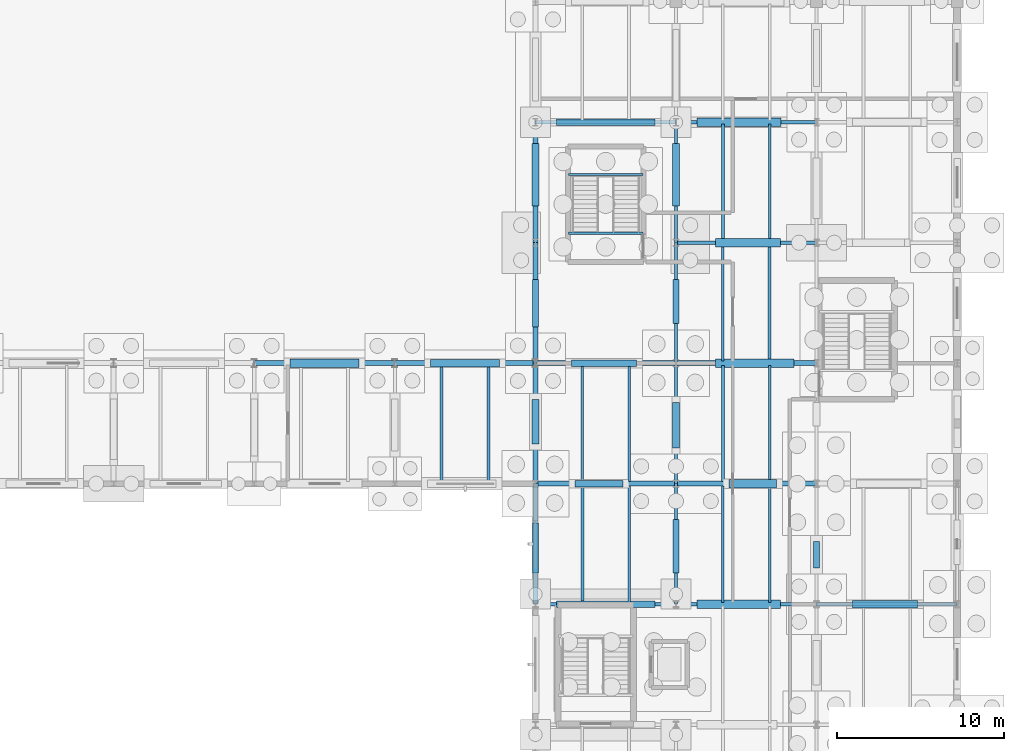
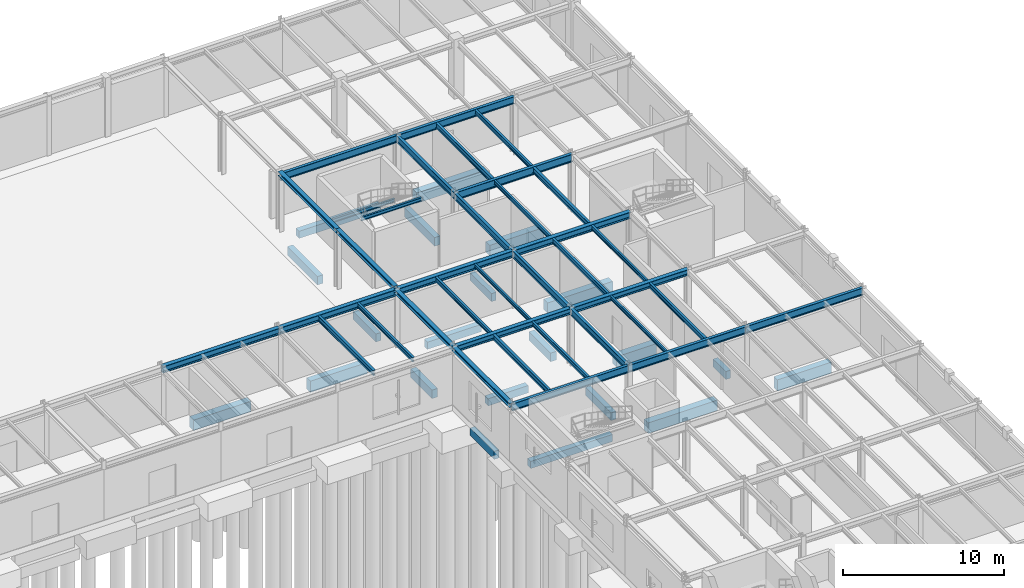
# One storey, part 46 of 93: 57 beams.
"""IFC4 building model written with IfcOpenShell, lengths in metres."""

import ifcopenshell
import ifcopenshell.guid

model = None  # the IFC model being written
_history = None  # IfcOwnerHistory: only IFC2X3 demands one
_inside = {}  # id of a spatial element -> (the spatial element, [elements in it])
_under = {}  # id of a project, library or spatial element -> (it, [spatial elements below it])
_declared = {}  # id of a project -> (the project, [libraries it declares])
_typed = {}  # id of a type object -> (the type object, [elements of that type])
_made_of = {}  # id of a material, layer set ... -> (it, [elements and type objects made of it])


def new_model(schema):
    """Start an empty IFC model of exactly this schema.

    Asked for "IFC4X3", IfcOpenShell would pick the latest addendum, in which some entities
    have other attributes; the version numbers below select the first issue.
    IFC2X3 requires an IfcOwnerHistory on every rooted entity: one is made here for all.
    """
    global model, _history
    if schema == "IFC4X3":
        model = ifcopenshell.file(schema_version=(4, 3, 0, 0))
    else:
        model = ifcopenshell.file(schema=schema)
    _inside.clear()
    _under.clear()
    _declared.clear()
    _typed.clear()
    _made_of.clear()
    _history = None
    if model.schema == "IFC2X3":
        org = make("IfcOrganization", Name="unknown")
        user = make(
            "IfcPersonAndOrganization",
            ThePerson=make("IfcPerson", FamilyName="unknown"),
            TheOrganization=org,
        )
        app = make(
            "IfcApplication",
            ApplicationDeveloper=org,
            Version="unknown",
            ApplicationFullName="unknown",
            ApplicationIdentifier="unknown",
        )
        _history = make(
            "IfcOwnerHistory",
            OwningUser=user,
            OwningApplication=app,
            ChangeAction="ADDED",
            CreationDate=0,
        )
    return model


def make(cls, **values):
    """One entity of the class cls with the attributes given. An attribute that is None is left unset."""
    return model.create_entity(
        cls, **{name: value for name, value in values.items() if value is not None}
    )


def rooted(cls, **values):
    """An entity with a GlobalId (a new one), such as an element, a storey or a relation."""
    return make(cls, GlobalId=ifcopenshell.guid.new(), OwnerHistory=_history, **values)


def si_unit(unit_type, name, prefix=None):
    """IfcSIUnit, for example si_unit("LENGTHUNIT", "METRE", prefix="MILLI")."""
    return make("IfcSIUnit", UnitType=unit_type, Prefix=prefix, Name=name)


def derived_unit(unit_type, elements):
    """IfcDerivedUnit: a product of units, each with its exponent."""
    return make(
        "IfcDerivedUnit",
        Elements=[
            make("IfcDerivedUnitElement", Unit=unit, Exponent=power)
            for unit, power in elements
        ],
        UnitType=unit_type,
    )


def assignment(units):
    """IfcUnitAssignment: the units of a project."""
    return None if units is None else make("IfcUnitAssignment", Units=units)


def point(xyz):
    """IfcCartesianPoint."""
    return None if xyz is None else make("IfcCartesianPoint", Coordinates=xyz)


def direction(xyz):
    """IfcDirection."""
    return None if xyz is None else make("IfcDirection", DirectionRatios=xyz)


def frame(location, z_axis=None, x_axis=None):
    """IfcAxis2Placement3D, a coordinate frame: its origin and axes. An axis left out is left unset."""
    return make(
        "IfcAxis2Placement3D",
        Location=point(location),
        Axis=direction(z_axis),
        RefDirection=direction(x_axis),
    )


def frame_2d(location, x_axis=None):
    """IfcAxis2Placement2D, a coordinate frame in the plane: its origin and x axis."""
    return make(
        "IfcAxis2Placement2D", Location=point(location), RefDirection=direction(x_axis)
    )


def origin():
    """The frame at (0, 0, 0) with its axes left unset."""
    return frame((0.0, 0.0, 0.0))


def origin_2d():
    """The frame at (0, 0) in the plane with its x axis left unset."""
    return frame_2d((0.0, 0.0))


def place(relative_to, where):
    """IfcLocalPlacement: puts the frame where relative to a parent placement (None: the world)."""
    return make(
        "IfcLocalPlacement", PlacementRelTo=relative_to, RelativePlacement=where
    )


def context(
    kind, dimensions, precision=None, world=None, true_north=None, identifier=None
):
    """IfcGeometricRepresentationContext, for example the 3D "Model" context."""
    return make(
        "IfcGeometricRepresentationContext",
        ContextIdentifier=identifier,
        ContextType=kind,
        CoordinateSpaceDimension=dimensions,
        Precision=precision,
        WorldCoordinateSystem=world,
        TrueNorth=true_north,
    )


def subcontext(parent, identifier, kind, view, scale=None):
    """IfcGeometricRepresentationSubContext, for example "Body" below "Model"."""
    return make(
        "IfcGeometricRepresentationSubContext",
        ContextIdentifier=identifier,
        ContextType=kind,
        ParentContext=parent,
        TargetScale=scale,
        TargetView=view,
    )


def project(units=None, contexts=None):
    """IfcProject with its units and contexts."""
    return rooted(
        "IfcProject",
        Name="project",
        RepresentationContexts=contexts,
        UnitsInContext=assignment(units),
    )


def spatial(cls, under=None, at=None, **own):
    """A site, building, storey or space (cls), placed at a placement, below another one or the project."""
    s = rooted(cls, ObjectPlacement=at, **own)
    if under is not None:
        _under.setdefault(under.id(), (under, []))[1].append(s)
    return s


def profile(cls, at=None, kind="AREA", **sizes):
    """A parametric profile (cls). Its sizes go by their IFC names, for example OverallWidth=200.0."""
    return make(cls, ProfileType=kind, Position=at, **sizes)


def rectangle(**sizes):
    """IfcRectangleProfileDef."""
    return profile("IfcRectangleProfileDef", **sizes)


def i_section(**sizes):
    """IfcIShapeProfileDef."""
    return profile("IfcIShapeProfileDef", **sizes)


def extrude(swept, where, along, depth):
    """IfcExtrudedAreaSolid: the profile swept, set in the frame where, extruded along a direction by depth."""
    return make(
        "IfcExtrudedAreaSolid",
        SweptArea=swept,
        Position=where,
        ExtrudedDirection=direction(along),
        Depth=depth,
    )


def shape(context_of_items, identifier, shape_type, items):
    """IfcShapeRepresentation: the items that make up one representation, for example the "Body"."""
    return make(
        "IfcShapeRepresentation",
        ContextOfItems=context_of_items,
        RepresentationIdentifier=identifier,
        RepresentationType=shape_type,
        Items=items,
    )


def material(Name=None, Category=None):
    """IfcMaterial."""
    return make("IfcMaterial", Name=Name, Category=Category)


def material_profile(
    of_material, cross_section, Name=None, Category=None, Priority=None
):
    """IfcMaterialProfile: a cross section and its material."""
    return make(
        "IfcMaterialProfile",
        Name=Name,
        Material=of_material,
        Profile=cross_section,
        Priority=Priority,
        Category=Category,
    )


def profile_set(profiles, Name=None, composite=None):
    """IfcMaterialProfileSet."""
    return make(
        "IfcMaterialProfileSet",
        Name=Name,
        MaterialProfiles=profiles,
        CompositeProfile=composite,
    )


def made_of(thing, what):
    """Note that an element or type object is made of a material, layer set ...; save() writes the relation."""
    if what is not None:
        _made_of.setdefault(what.id(), (what, []))[1].append(thing)
    return thing


def type_object(cls, material=None, **own):
    """A type object (cls), such as IfcWallType, which elements share."""
    return made_of(rooted(cls, **own), material)


def element(
    cls,
    number,
    at=None,
    inside=None,
    cuts=None,
    type_object=None,
    material=None,
    context=None,
    identifier="Body",
    shape_type=None,
    held_by="IfcProductDefinitionShape",
    body=None,
    shapes=None,
    **own,
):
    """One element of the class cls, such as IfcWall. Its Tag is "e" and its number.

    at: its placement. inside: the storey or other place that contains it. cuts: it is an
    opening in that element (IfcRelVoidsElement). A single representation is given by context,
    identifier, shape_type and body (its items); several are given by shapes. held_by: the class
    of the entity that holds the representations. save() writes the other relations.
    """
    e = rooted(cls, Tag="e%d" % number, ObjectPlacement=at, **own)
    if body is not None:
        shapes = [shape(context, identifier, shape_type, body)]
    if shapes is not None:
        e.Representation = make(held_by, Representations=shapes)
    if inside is not None:
        _inside.setdefault(inside.id(), (inside, []))[1].append(e)
    if cuts is not None:
        rooted(
            "IfcRelVoidsElement", RelatingBuildingElement=cuts, RelatedOpeningElement=e
        )
    if type_object is not None:
        _typed.setdefault(type_object.id(), (type_object, []))[1].append(e)
    return made_of(e, material)


def aggregate(whole, parts):
    """IfcRelAggregates: a whole, such as a stair, and the parts it consists of."""
    return rooted("IfcRelAggregates", RelatingObject=whole, RelatedObjects=parts)


def save(model, path):
    """Write the relations noted so far, then the file.

    IfcRelAggregates (storeys below a building ...), IfcRelContainedInSpatialStructure (elements
    in a storey), IfcRelDefinesByType, IfcRelAssociatesMaterial and IfcRelDeclares: one each for
    every whole, place, type object, material and project.
    """
    for whole, parts in _under.values():
        aggregate(whole, parts)
    for where, things in _inside.values():
        rooted(
            "IfcRelContainedInSpatialStructure",
            RelatedElements=things,
            RelatingStructure=where,
        )
    for kind, things in _typed.values():
        rooted("IfcRelDefinesByType", RelatedObjects=things, RelatingType=kind)
    for what, things in _made_of.values():
        rooted("IfcRelAssociatesMaterial", RelatedObjects=things, RelatingMaterial=what)
    for by, libraries in _declared.values():
        rooted("IfcRelDeclares", RelatingContext=by, RelatedDefinitions=libraries)
    model.write(path)


model = new_model("IFC4")

# Units and contexts
model_context = context("Model", 3, precision=1e-05, world=origin(), true_north=direction((0.0, 1.0)))
body_context = subcontext(model_context, "Body", "Model", "MODEL_VIEW")
ifc_project = project(units=[si_unit("LENGTHUNIT", "METRE"), si_unit("AREAUNIT", "SQUARE_METRE"), si_unit("VOLUMEUNIT", "CUBIC_METRE"), si_unit("PLANEANGLEUNIT", "RADIAN"), si_unit("MASSUNIT", "GRAM", prefix="KILO"), derived_unit("THERMALTRANSMITTANCEUNIT", [(si_unit("MASSUNIT", "GRAM", prefix="KILO"), 1), (si_unit("TIMEUNIT", "SECOND"), -3), (si_unit("THERMODYNAMICTEMPERATUREUNIT", "KELVIN"), -1)])], contexts=[model_context])

# Site, building, storey
site_placement = place(None, origin())
site = spatial("IfcSite", under=ifc_project, at=site_placement, CompositionType="ELEMENT")
building_placement = place(site_placement, origin())
building = spatial("IfcBuilding", under=site, at=building_placement, Name="Kharveza Railside Sports Centre", CompositionType="ELEMENT")
storey_placement = place(building_placement, origin())
storey = spatial("IfcBuildingStorey", under=building, at=storey_placement, Name="L00", CompositionType="ELEMENT", Elevation=0.0)

# Beams
ifc_material_1 = material(Name="Steel S355J2", Category="steel")
ifc_material_profile_1 = material_profile(ifc_material_1, i_section(OverallWidth=0.219970703125, OverallDepth=0.60009765625, WebThickness=0.011962890625, FlangeThickness=0.01904296875, FilletRadius=0.02392578125, at=origin_2d()), Name="IPE 600")
ifc_profile_set_1 = profile_set([ifc_material_profile_1], Name="Steel S355J2")
beam_type_1 = type_object("IfcBeamType", Name="BM-G01", PredefinedType="T_BEAM", material=ifc_profile_set_1)
beam_1_placement = place(storey_placement, frame((151.199951171875, 86.39990234375, 4.02001953125), z_axis=(1.0, 0.0, 0.0), x_axis=(0.0, 1.0, 0.0)))
element("IfcBeam", 1, at=beam_1_placement, inside=storey, type_object=beam_type_1, Name="BM-EW-L00-B01-X1512-Y864", PredefinedType="T_BEAM", context=body_context, shape_type="SweptSolid", body=[
    extrude(i_section(OverallWidth=0.219970703125, OverallDepth=0.60009765625, WebThickness=0.011962890625, FlangeThickness=0.01904296875, FilletRadius=0.02392578125, at=origin_2d()), origin(), (0.0, 0.0, 1.0), 8.400146484375),
])
ifc_material_profile_2 = material_profile(ifc_material_1, i_section(OverallWidth=0.2099609375, OverallDepth=0.550048828125, WebThickness=0.010986328125, FlangeThickness=0.01708984375, FilletRadius=0.02392578125, at=origin_2d()), Name="IPE 550")
ifc_profile_set_2 = profile_set([ifc_material_profile_2], Name="Steel S355J2")
beam_type_2 = type_object("IfcBeamType", Name="BM-G02", PredefinedType="T_BEAM", material=ifc_profile_set_2)
for number, where, z_axis, x_axis, name in (
    (2, (142.800048828125, 64.800048828125, 4.044921875), (1.0, 0.0, 0.0), (0.0, 1.0, 0.0), "BM-EW-L00-B02-X1428-Y648"),
    (3, (142.800048828125, 93.60009765625, 4.044921875), (1.0, 0.0, 0.0), (0.0, 1.0, 0.0), "BM-EW-L00-B02-X1428-Y936"),
):
    element("IfcBeam", number, at=place(storey_placement, frame(where, z_axis=z_axis, x_axis=x_axis)), inside=storey, type_object=beam_type_2, Name=name, PredefinedType="T_BEAM", context=body_context, shape_type="SweptSolid", body=[
        extrude(i_section(OverallWidth=0.2099609375, OverallDepth=0.550048828125, WebThickness=0.010986328125, FlangeThickness=0.01708984375, FilletRadius=0.02392578125, at=origin_2d()), origin(), (0.0, 0.0, 1.0), 8.39990234375),
    ])
for number, where, z_axis, x_axis, name in (
    (4, (151.199951171875, 64.800048828125, 4.044921875), (1.0, 0.0, 0.0), (0.0, 1.0, 0.0), "BM-EW-L00-B02-X1512-Y648"),
    (5, (151.199951171875, 93.60009765625, 4.044921875), (1.0, 0.0, 0.0), (0.0, 1.0, 0.0), "BM-EW-L00-B02-X1512-Y936"),
):
    element("IfcBeam", number, at=place(storey_placement, frame(where, z_axis=z_axis, x_axis=x_axis)), inside=storey, type_object=beam_type_2, Name=name, PredefinedType="T_BEAM", context=body_context, shape_type="SweptSolid", body=[
        extrude(i_section(OverallWidth=0.2099609375, OverallDepth=0.550048828125, WebThickness=0.010986328125, FlangeThickness=0.01708984375, FilletRadius=0.02392578125, at=origin_2d()), origin(), (0.0, 0.0, 1.0), 8.400146484375),
    ])
beam_2_placement = place(storey_placement, frame((159.60009765625, 64.800048828125, 4.044921875), z_axis=(1.0, 0.0, 0.0), x_axis=(0.0, 1.0, 0.0)))
element("IfcBeam", 6, at=beam_2_placement, inside=storey, type_object=beam_type_2, Name="BM-EW-L00-B02-X1596-Y648", PredefinedType="T_BEAM", context=body_context, shape_type="SweptSolid", body=[
    extrude(i_section(OverallWidth=0.2099609375, OverallDepth=0.550048828125, WebThickness=0.010986328125, FlangeThickness=0.01708984375, FilletRadius=0.02392578125, at=origin_2d()), origin(), (0.0, 0.0, 1.0), 8.39990234375),
])
ifc_material_profile_3 = material_profile(ifc_material_1, i_section(OverallWidth=0.199951171875, OverallDepth=0.5, WebThickness=0.01025390625, FlangeThickness=0.01611328125, FilletRadius=0.02099609375, at=origin_2d()), Name="IPE 500")
ifc_profile_set_3 = profile_set([ifc_material_profile_3], Name="Steel S355J2")
beam_type_3 = type_object("IfcBeamType", Name="BM-G03", PredefinedType="T_BEAM", material=ifc_profile_set_3)
for number, where, z_axis, x_axis, name in (
    (7, (151.199951171875, 64.800048828125, 4.070068359375), (0.0, 1.0, 0.0), (-1.0, 0.0, 0.0), "BM-NS-L00-B03-X1512-Y648"),
    (8, (151.199951171875, 72.0, 4.070068359375), (0.0, 1.0, 0.0), (-1.0, 0.0, 0.0), "BM-NS-L00-B03-X1512-Y720"),
    (9, (151.199951171875, 79.199951171875, 4.070068359375), (0.0, 1.0, 0.0), (-1.0, 0.0, 0.0), "BM-NS-L00-B03-X1512-Y792"),
):
    element("IfcBeam", number, at=place(storey_placement, frame(where, z_axis=z_axis, x_axis=x_axis)), inside=storey, type_object=beam_type_3, Name=name, PredefinedType="T_BEAM", context=body_context, shape_type="SweptSolid", body=[
        extrude(i_section(OverallWidth=0.199951171875, OverallDepth=0.5, WebThickness=0.01025390625, FlangeThickness=0.01611328125, FilletRadius=0.02099609375, at=origin_2d()), origin(), (0.0, 0.0, 1.0), 7.199951171875),
    ])
beam_3_placement = place(storey_placement, frame((151.199951171875, 86.39990234375, 4.070068359375), z_axis=(0.0, 1.0, 0.0), x_axis=(-1.0, 0.0, 0.0)))
element("IfcBeam", 10, at=beam_3_placement, inside=storey, type_object=beam_type_3, Name="BM-NS-L00-B03-X1512-Y864", PredefinedType="T_BEAM", context=body_context, shape_type="SweptSolid", body=[
    extrude(i_section(OverallWidth=0.199951171875, OverallDepth=0.5, WebThickness=0.01025390625, FlangeThickness=0.01611328125, FilletRadius=0.02099609375, at=origin_2d()), origin(), (0.0, 0.0, 1.0), 7.2001953125),
])
ifc_material_profile_4 = material_profile(ifc_material_1, i_section(OverallWidth=0.300048828125, OverallDepth=0.5, WebThickness=0.014404296875, FlangeThickness=0.028076171875, FilletRadius=0.027099609375, at=origin_2d()), Name="HEB 500")
ifc_profile_set_4 = profile_set([ifc_material_profile_4], Name="Steel S355J2")
beam_type_4 = type_object("IfcBeamType", Name="BM-G05", PredefinedType="T_BEAM", material=ifc_profile_set_4)
beam_4_placement = place(storey_placement, frame((126.0, 79.199951171875, 4.070068359375), z_axis=(1.0, 0.0, 0.0), x_axis=(0.0, 1.0, 0.0)))
element("IfcBeam", 11, at=beam_4_placement, inside=storey, type_object=beam_type_4, Name="BM-EW-L00-B05-X1260-Y792", PredefinedType="T_BEAM", context=body_context, shape_type="SweptSolid", body=[
    extrude(i_section(OverallWidth=0.300048828125, OverallDepth=0.5, WebThickness=0.014404296875, FlangeThickness=0.028076171875, FilletRadius=0.027099609375, at=origin_2d()), origin(), (0.0, 0.0, 1.0), 8.39990234375),
])
beam_5_placement = place(storey_placement, frame((134.39990234375, 79.199951171875, 4.070068359375), z_axis=(1.0, 0.0, 0.0), x_axis=(0.0, 1.0, 0.0)))
element("IfcBeam", 12, at=beam_5_placement, inside=storey, type_object=beam_type_4, Name="BM-EW-L00-B05-X1344-Y792", PredefinedType="T_BEAM", context=body_context, shape_type="SweptSolid", body=[
    extrude(i_section(OverallWidth=0.300048828125, OverallDepth=0.5, WebThickness=0.014404296875, FlangeThickness=0.028076171875, FilletRadius=0.027099609375, at=origin_2d()), origin(), (0.0, 0.0, 1.0), 8.400146484375),
])
beam_6_placement = place(storey_placement, frame((142.800048828125, 79.199951171875, 4.070068359375), z_axis=(1.0, 0.0, 0.0), x_axis=(0.0, 1.0, 0.0)))
element("IfcBeam", 13, at=beam_6_placement, inside=storey, type_object=beam_type_4, Name="BM-EW-L00-B05-X1428-Y792", PredefinedType="T_BEAM", context=body_context, shape_type="SweptSolid", body=[
    extrude(i_section(OverallWidth=0.300048828125, OverallDepth=0.5, WebThickness=0.014404296875, FlangeThickness=0.028076171875, FilletRadius=0.027099609375, at=origin_2d()), origin(), (0.0, 0.0, 1.0), 8.39990234375),
])
beam_7_placement = place(storey_placement, frame((151.199951171875, 79.199951171875, 4.070068359375), z_axis=(1.0, 0.0, 0.0), x_axis=(0.0, 1.0, 0.0)))
element("IfcBeam", 14, at=beam_7_placement, inside=storey, type_object=beam_type_4, Name="BM-EW-L00-B05-X1512-Y792", PredefinedType="T_BEAM", context=body_context, shape_type="SweptSolid", body=[
    extrude(i_section(OverallWidth=0.300048828125, OverallDepth=0.5, WebThickness=0.014404296875, FlangeThickness=0.028076171875, FilletRadius=0.027099609375, at=origin_2d()), origin(), (0.0, 0.0, 1.0), 8.400146484375),
])
ifc_material_profile_5 = material_profile(ifc_material_1, i_section(OverallWidth=0.300048828125, OverallDepth=0.449951171875, WebThickness=0.013916015625, FlangeThickness=0.02587890625, FilletRadius=0.027099609375, at=origin_2d()), Name="HEB 450")
ifc_profile_set_5 = profile_set([ifc_material_profile_5], Name="Steel S355J2")
beam_type_5 = type_object("IfcBeamType", Name="BM-G06", PredefinedType="T_BEAM", material=ifc_profile_set_5)
beam_8_placement = place(storey_placement, frame((142.800048828125, 72.0, 4.094970703125), z_axis=(1.0, 0.0, 0.0), x_axis=(0.0, 1.0, 0.0)))
element("IfcBeam", 15, at=beam_8_placement, inside=storey, type_object=beam_type_5, Name="BM-EW-L00-B06-X1428-Y720", PredefinedType="T_BEAM", context=body_context, shape_type="SweptSolid", body=[
    extrude(i_section(OverallWidth=0.300048828125, OverallDepth=0.449951171875, WebThickness=0.013916015625, FlangeThickness=0.02587890625, FilletRadius=0.027099609375, at=origin_2d()), origin(), (0.0, 0.0, 1.0), 8.39990234375),
])
beam_9_placement = place(storey_placement, frame((151.199951171875, 72.0, 4.094970703125), z_axis=(1.0, 0.0, 0.0), x_axis=(0.0, 1.0, 0.0)))
element("IfcBeam", 16, at=beam_9_placement, inside=storey, type_object=beam_type_5, Name="BM-EW-L00-B06-X1512-Y720", PredefinedType="T_BEAM", context=body_context, shape_type="SweptSolid", body=[
    extrude(i_section(OverallWidth=0.300048828125, OverallDepth=0.449951171875, WebThickness=0.013916015625, FlangeThickness=0.02587890625, FilletRadius=0.027099609375, at=origin_2d()), origin(), (0.0, 0.0, 1.0), 8.400146484375),
])
ifc_material_2 = material(Name="Concrete C35/45", Category="concrete")
ifc_material_profile_6 = material_profile(ifc_material_2, rectangle(XDim=0.5, YDim=0.800048828125, at=origin_2d()), Name="RCB 500x800")
ifc_profile_set_6 = profile_set([ifc_material_profile_6], Name="Concrete C35/45")
beam_type_6 = type_object("IfcBeamType", Name="BM-RC01", PredefinedType="T_BEAM", material=ifc_profile_set_6)
beam_10_placement = place(storey_placement, frame((128.135009765625, 79.199951171875, -0.820068359375), z_axis=(1.0, 0.0, 0.0), x_axis=(0.0, 1.0, 0.0)))
element("IfcBeam", 17, at=beam_10_placement, inside=storey, type_object=beam_type_6, Name="BM-PLINTH-EW-B25-X1260-Y792-1", PredefinedType="T_BEAM", context=body_context, shape_type="SweptSolid", body=[
    extrude(rectangle(XDim=0.5, YDim=0.800048828125, at=origin_2d()), origin(), (0.0, 0.0, 1.0), 4.1298828125),
])
beam_11_placement = place(storey_placement, frame((152.4599609375, 64.800048828125, -0.820068359375), z_axis=(1.0, 0.0, 0.0), x_axis=(0.0, 1.0, 0.0)))
element("IfcBeam", 18, at=beam_11_placement, inside=storey, type_object=beam_type_6, Name="BM-PLINTH-EW-B25-X1512-Y648-1", PredefinedType="T_BEAM", context=body_context, shape_type="SweptSolid", body=[
    extrude(rectangle(XDim=0.5, YDim=0.800048828125, at=origin_2d()), origin(), (0.0, 0.0, 1.0), 4.97998046875),
])
beam_12_placement = place(storey_placement, frame((154.360107421875, 72.0, -0.820068359375), z_axis=(1.0, 0.0, 0.0), x_axis=(0.0, 1.0, 0.0)))
element("IfcBeam", 19, at=beam_12_placement, inside=storey, type_object=beam_type_6, Name="BM-PLINTH-EW-B25-X1512-Y720-1", PredefinedType="T_BEAM", context=body_context, shape_type="SweptSolid", body=[
    extrude(rectangle(XDim=0.5, YDim=0.800048828125, at=origin_2d()), origin(), (0.0, 0.0, 1.0), 2.85498046875),
])
beam_13_placement = place(storey_placement, frame((153.56005859375, 79.199951171875, -0.820068359375), z_axis=(1.0, 0.0, 0.0), x_axis=(0.0, 1.0, 0.0)))
element("IfcBeam", 20, at=beam_13_placement, inside=storey, type_object=beam_type_6, Name="BM-PLINTH-EW-B25-X1512-Y792-1", PredefinedType="T_BEAM", context=body_context, shape_type="SweptSolid", body=[
    extrude(rectangle(XDim=0.5, YDim=0.800048828125, at=origin_2d()), origin(), (0.0, 0.0, 1.0), 4.679931640625),
])
beam_14_placement = place(storey_placement, frame((153.56005859375, 86.39990234375, -0.820068359375), z_axis=(1.0, 0.0, 0.0), x_axis=(0.0, 1.0, 0.0)))
element("IfcBeam", 21, at=beam_14_placement, inside=storey, type_object=beam_type_6, Name="BM-PLINTH-EW-B25-X1512-Y864-1", PredefinedType="T_BEAM", context=body_context, shape_type="SweptSolid", body=[
    extrude(rectangle(XDim=0.5, YDim=0.800048828125, at=origin_2d()), origin(), (0.0, 0.0, 1.0), 3.8798828125),
])
beam_15_placement = place(storey_placement, frame((152.4599609375, 93.60009765625, -0.820068359375), z_axis=(1.0, 0.0, 0.0), x_axis=(0.0, 1.0, 0.0)))
element("IfcBeam", 22, at=beam_15_placement, inside=storey, type_object=beam_type_6, Name="BM-PLINTH-EW-B25-X1512-Y936-1", PredefinedType="T_BEAM", context=body_context, shape_type="SweptSolid", body=[
    extrude(rectangle(XDim=0.5, YDim=0.800048828125, at=origin_2d()), origin(), (0.0, 0.0, 1.0), 5.005126953125),
])
ifc_material_profile_7 = material_profile(ifc_material_2, rectangle(XDim=0.39990234375, YDim=0.64990234375, at=origin_2d()), Name="RCB 400x650")
ifc_profile_set_7 = profile_set([ifc_material_profile_7], Name="Concrete C35/45")
beam_type_7 = type_object("IfcBeamType", Name="BM-RC02", PredefinedType="BEAM", material=ifc_profile_set_7)
beam_16_placement = place(storey_placement, frame((142.800048828125, 74.360107421875, -0.7451171875), z_axis=(0.0, 1.0, 0.0), x_axis=(-1.0, 0.0, 0.0)))
element("IfcBeam", 23, at=beam_16_placement, inside=storey, type_object=beam_type_7, Name="BM-PLINTH-NS-B26-X1428-Y720-1", PredefinedType="BEAM", context=body_context, shape_type="SweptSolid", body=[
    extrude(rectangle(XDim=0.39990234375, YDim=0.64990234375, at=origin_2d()), origin(), (0.0, 0.0, 1.0), 2.679931640625),
])
beam_17_placement = place(storey_placement, frame((142.800048828125, 88.5849609375, -0.7451171875), z_axis=(0.0, 1.0, 0.0), x_axis=(-1.0, 0.0, 0.0)))
element("IfcBeam", 24, at=beam_17_placement, inside=storey, type_object=beam_type_7, Name="BM-PLINTH-NS-B26-X1428-Y864-1", PredefinedType="BEAM", context=body_context, shape_type="SweptSolid", body=[
    extrude(rectangle(XDim=0.39990234375, YDim=0.64990234375, at=origin_2d()), origin(), (0.0, 0.0, 1.0), 3.755126953125),
])
beam_18_placement = place(storey_placement, frame((151.199951171875, 74.135009765625, -0.7451171875), z_axis=(0.0, 1.0, 0.0), x_axis=(-1.0, 0.0, 0.0)))
element("IfcBeam", 25, at=beam_18_placement, inside=storey, type_object=beam_type_7, Name="BM-PLINTH-NS-B26-X1512-Y720-1", PredefinedType="BEAM", context=body_context, shape_type="SweptSolid", body=[
    extrude(rectangle(XDim=0.39990234375, YDim=0.64990234375, at=origin_2d()), origin(), (0.0, 0.0, 1.0), 2.705078125),
])
beam_19_placement = place(storey_placement, frame((151.199951171875, 88.5849609375, -0.7451171875), z_axis=(0.0, 1.0, 0.0), x_axis=(-1.0, 0.0, 0.0)))
element("IfcBeam", 26, at=beam_19_placement, inside=storey, type_object=beam_type_7, Name="BM-PLINTH-NS-B26-X1512-Y864-1", PredefinedType="BEAM", context=body_context, shape_type="SweptSolid", body=[
    extrude(rectangle(XDim=0.39990234375, YDim=0.64990234375, at=origin_2d()), origin(), (0.0, 0.0, 1.0), 3.755126953125),
])
ifc_material_profile_8 = material_profile(ifc_material_2, rectangle(XDim=0.449951171875, YDim=0.85009765625, at=origin_2d()), Name="RCB 450x850")
ifc_profile_set_8 = profile_set([ifc_material_profile_8], Name="Concrete C35/45")
beam_type_8 = type_object("IfcBeamType", Name="BM-RC05", PredefinedType="T_BEAM", material=ifc_profile_set_8)
beam_20_placement = place(storey_placement, frame((136.534912109375, 79.199951171875, -0.844970703125), z_axis=(1.0, 0.0, 0.0), x_axis=(0.0, 1.0, 0.0)))
element("IfcBeam", 27, at=beam_20_placement, inside=storey, type_object=beam_type_8, Name="BM-PLINTH-EW-B29-X1344-Y792-1", PredefinedType="T_BEAM", context=body_context, shape_type="SweptSolid", body=[
    extrude(rectangle(XDim=0.449951171875, YDim=0.85009765625, at=origin_2d()), origin(), (0.0, 0.0, 1.0), 4.10498046875),
])
beam_21_placement = place(storey_placement, frame((161.760009765625, 64.800048828125, -0.844970703125), z_axis=(1.0, 0.0, 0.0), x_axis=(0.0, 1.0, 0.0)))
element("IfcBeam", 28, at=beam_21_placement, inside=storey, type_object=beam_type_8, Name="BM-PLINTH-EW-B29-X1596-Y648-1", PredefinedType="T_BEAM", context=body_context, shape_type="SweptSolid", body=[
    extrude(rectangle(XDim=0.449951171875, YDim=0.85009765625, at=origin_2d()), origin(), (0.0, 0.0, 1.0), 3.8798828125),
])
ifc_material_profile_9 = material_profile(ifc_material_2, rectangle(XDim=0.35009765625, YDim=0.60009765625, at=origin_2d()), Name="RCB 350x600")
ifc_profile_set_9 = profile_set([ifc_material_profile_9], Name="Concrete C35/45")
beam_type_9 = type_object("IfcBeamType", Name="BM-RC06", PredefinedType="BEAM", material=ifc_profile_set_9)
beam_22_placement = place(storey_placement, frame((142.800048828125, 66.659912109375, -0.719970703125), z_axis=(0.0, 1.0, 0.0), x_axis=(-1.0, 0.0, 0.0)))
element("IfcBeam", 29, at=beam_22_placement, inside=storey, type_object=beam_type_9, Name="BM-PLINTH-NS-B30-X1428-Y648-1", PredefinedType="BEAM", context=body_context, shape_type="SweptSolid", body=[
    extrude(rectangle(XDim=0.35009765625, YDim=0.60009765625, at=origin_2d()), origin(), (0.0, 0.0, 1.0), 2.97998046875),
])
beam_23_placement = place(storey_placement, frame((142.800048828125, 81.360107421875, -0.719970703125), z_axis=(0.0, 1.0, 0.0), x_axis=(-1.0, 0.0, 0.0)))
element("IfcBeam", 30, at=beam_23_placement, inside=storey, type_object=beam_type_9, Name="BM-PLINTH-NS-B30-X1428-Y792-1", PredefinedType="BEAM", context=body_context, shape_type="SweptSolid", body=[
    extrude(rectangle(XDim=0.35009765625, YDim=0.60009765625, at=origin_2d()), origin(), (0.0, 0.0, 1.0), 2.85498046875),
])
beam_24_placement = place(storey_placement, frame((151.199951171875, 66.659912109375, -0.719970703125), z_axis=(0.0, 1.0, 0.0), x_axis=(-1.0, 0.0, 0.0)))
element("IfcBeam", 31, at=beam_24_placement, inside=storey, type_object=beam_type_9, Name="BM-PLINTH-NS-B30-X1512-Y648-1", PredefinedType="BEAM", context=body_context, shape_type="SweptSolid", body=[
    extrude(rectangle(XDim=0.35009765625, YDim=0.60009765625, at=origin_2d()), origin(), (0.0, 0.0, 1.0), 3.205078125),
])
beam_25_placement = place(storey_placement, frame((151.199951171875, 81.56005859375, -0.719970703125), z_axis=(0.0, 1.0, 0.0), x_axis=(-1.0, 0.0, 0.0)))
element("IfcBeam", 32, at=beam_25_placement, inside=storey, type_object=beam_type_9, Name="BM-PLINTH-NS-B30-X1512-Y792-1", PredefinedType="BEAM", context=body_context, shape_type="SweptSolid", body=[
    extrude(rectangle(XDim=0.35009765625, YDim=0.60009765625, at=origin_2d()), origin(), (0.0, 0.0, 1.0), 2.655029296875),
])
beam_26_placement = place(storey_placement, frame((159.60009765625, 66.9599609375, -0.719970703125), z_axis=(0.0, 1.0, 0.0), x_axis=(-1.0, 0.0, 0.0)))
element("IfcBeam", 33, at=beam_26_placement, inside=storey, type_object=beam_type_9, Name="BM-PLINTH-NS-B30-X1596-Y648-1", PredefinedType="BEAM", context=body_context, shape_type="SweptSolid", body=[
    extrude(rectangle(XDim=0.35009765625, YDim=0.60009765625, at=origin_2d()), origin(), (0.0, 0.0, 1.0), 1.580078125),
])
ifc_material_profile_10 = material_profile(ifc_material_2, rectangle(XDim=0.39990234375, YDim=0.550048828125, at=origin_2d()), Name="RCB 400x550")
ifc_profile_set_10 = profile_set([ifc_material_profile_10], Name="Concrete C35/45")
beam_type_10 = type_object("IfcBeamType", Name="BM-RC07", PredefinedType="LINTEL", material=ifc_profile_set_10)
beam_27_placement = place(storey_placement, frame((144.06005859375, 64.800048828125, -0.695068359375), z_axis=(1.0, 0.0, 0.0), x_axis=(0.0, 1.0, 0.0)))
element("IfcBeam", 34, at=beam_27_placement, inside=storey, type_object=beam_type_10, Name="BM-PLINTH-EW-B31-X1428-Y648-1", PredefinedType="LINTEL", context=body_context, shape_type="SweptSolid", body=[
    extrude(rectangle(XDim=0.39990234375, YDim=0.550048828125, at=origin_2d()), origin(), (0.0, 0.0, 1.0), 5.8798828125),
])
beam_28_placement = place(storey_placement, frame((145.159912109375, 72.0, -0.695068359375), z_axis=(1.0, 0.0, 0.0), x_axis=(0.0, 1.0, 0.0)))
element("IfcBeam", 35, at=beam_28_placement, inside=storey, type_object=beam_type_10, Name="BM-PLINTH-EW-B31-X1428-Y720-1", PredefinedType="LINTEL", context=body_context, shape_type="SweptSolid", body=[
    extrude(rectangle(XDim=0.39990234375, YDim=0.550048828125, at=origin_2d()), origin(), (0.0, 0.0, 1.0), 2.880126953125),
])
beam_29_placement = place(storey_placement, frame((144.9599609375, 79.199951171875, -0.695068359375), z_axis=(1.0, 0.0, 0.0), x_axis=(0.0, 1.0, 0.0)))
element("IfcBeam", 36, at=beam_29_placement, inside=storey, type_object=beam_type_10, Name="BM-PLINTH-EW-B31-X1428-Y792-1", PredefinedType="LINTEL", context=body_context, shape_type="SweptSolid", body=[
    extrude(rectangle(XDim=0.39990234375, YDim=0.550048828125, at=origin_2d()), origin(), (0.0, 0.0, 1.0), 3.880126953125),
])
beam_30_placement = place(storey_placement, frame((144.06005859375, 93.60009765625, -0.695068359375), z_axis=(1.0, 0.0, 0.0), x_axis=(0.0, 1.0, 0.0)))
element("IfcBeam", 37, at=beam_30_placement, inside=storey, type_object=beam_type_10, Name="BM-PLINTH-EW-B31-X1428-Y936-1", PredefinedType="LINTEL", context=body_context, shape_type="SweptSolid", body=[
    extrude(rectangle(XDim=0.39990234375, YDim=0.550048828125, at=origin_2d()), origin(), (0.0, 0.0, 1.0), 5.8798828125),
])
ifc_material_profile_11 = material_profile(ifc_material_1, i_section(OverallWidth=0.179931640625, OverallDepth=0.39990234375, WebThickness=0.008544921875, FlangeThickness=0.013427734375, FilletRadius=0.02099609375, at=origin_2d()), Name="IPE 400")
ifc_profile_set_11 = profile_set([ifc_material_profile_11], Name="Steel S355J2")
beam_type_11 = type_object("IfcBeamType", Name="BM-S01", PredefinedType="BEAM", material=ifc_profile_set_11)
beam_31_placement = place(storey_placement, frame((137.199951171875, 72.14697265625, 4.1201171875), z_axis=(0.0, 1.0, 0.0), x_axis=(-1.0, 0.0, 0.0)))
element("IfcBeam", 38, at=beam_31_placement, inside=storey, type_object=beam_type_11, Name="BM-SEC-L00-B09-X1372-Y720", PredefinedType="BEAM", context=body_context, shape_type="SweptSolid", body=[
    extrude(i_section(OverallWidth=0.179931640625, OverallDepth=0.39990234375, WebThickness=0.008544921875, FlangeThickness=0.013427734375, FilletRadius=0.02099609375, at=origin_2d()), origin(), (0.0, 0.0, 1.0), 6.906005859375),
])
beam_32_placement = place(storey_placement, frame((145.60009765625, 64.902099609375, 4.1201171875), z_axis=(0.0, 1.0, 0.0), x_axis=(-1.0, 0.0, 0.0)))
element("IfcBeam", 39, at=beam_32_placement, inside=storey, type_object=beam_type_11, Name="BM-SEC-L00-B09-X1456-Y648", PredefinedType="BEAM", context=body_context, shape_type="SweptSolid", body=[
    extrude(i_section(OverallWidth=0.179931640625, OverallDepth=0.39990234375, WebThickness=0.008544921875, FlangeThickness=0.013427734375, FilletRadius=0.02099609375, at=origin_2d()), origin(), (0.0, 0.0, 1.0), 6.950927734375),
])
beam_33_placement = place(storey_placement, frame((156.800048828125, 79.346923828125, 4.1201171875), z_axis=(0.0, 1.0, 0.0), x_axis=(-1.0, 0.0, 0.0)))
element("IfcBeam", 40, at=beam_33_placement, inside=storey, type_object=beam_type_11, Name="BM-SEC-L00-B09-X1568-Y792", PredefinedType="BEAM", context=body_context, shape_type="SweptSolid", body=[
    extrude(i_section(OverallWidth=0.179931640625, OverallDepth=0.39990234375, WebThickness=0.008544921875, FlangeThickness=0.013427734375, FilletRadius=0.02099609375, at=origin_2d()), origin(), (0.0, 0.0, 1.0), 6.946044921875),
])
beam_34_placement = place(storey_placement, frame((154.0, 86.507080078125, 4.1201171875), z_axis=(0.0, 1.0, 0.0), x_axis=(-1.0, 0.0, 0.0)))
element("IfcBeam", 41, at=beam_34_placement, inside=storey, type_object=beam_type_11, Name="BM-SEC-L00-B09-X1540-Y864", PredefinedType="BEAM", context=body_context, shape_type="SweptSolid", body=[
    extrude(i_section(OverallWidth=0.179931640625, OverallDepth=0.39990234375, WebThickness=0.008544921875, FlangeThickness=0.013427734375, FilletRadius=0.02099609375, at=origin_2d()), origin(), (0.0, 0.0, 1.0), 6.990966796875),
])
ifc_material_profile_12 = material_profile(ifc_material_1, i_section(OverallWidth=0.169921875, OverallDepth=0.360107421875, WebThickness=0.008056640625, FlangeThickness=0.0126953125, FilletRadius=0.01806640625, at=origin_2d()), Name="IPE 360")
ifc_profile_set_12 = profile_set([ifc_material_profile_12], Name="Steel S355J2")
beam_type_12 = type_object("IfcBeamType", Name="BM-S02", PredefinedType="BEAM", material=ifc_profile_set_12)
beam_35_placement = place(storey_placement, frame((156.800048828125, 64.902099609375, 4.139892578125), z_axis=(0.0, 1.0, 0.0), x_axis=(-1.0, 0.0, 0.0)))
element("IfcBeam", 42, at=beam_35_placement, inside=storey, type_object=beam_type_12, Name="BM-SEC-L00-B10-X1568-Y648", PredefinedType="BEAM", context=body_context, shape_type="SweptSolid", body=[
    extrude(i_section(OverallWidth=0.169921875, OverallDepth=0.360107421875, WebThickness=0.008056640625, FlangeThickness=0.0126953125, FilletRadius=0.01806640625, at=origin_2d()), origin(), (0.0, 0.0, 1.0), 6.950927734375),
])
beam_36_placement = place(storey_placement, frame((154.0, 72.14697265625, 4.139892578125), z_axis=(0.0, 1.0, 0.0), x_axis=(-1.0, 0.0, 0.0)))
element("IfcBeam", 43, at=beam_36_placement, inside=storey, type_object=beam_type_12, Name="BM-SEC-L00-B10-X1540-Y720", PredefinedType="BEAM", context=body_context, shape_type="SweptSolid", body=[
    extrude(i_section(OverallWidth=0.169921875, OverallDepth=0.360107421875, WebThickness=0.008056640625, FlangeThickness=0.0126953125, FilletRadius=0.01806640625, at=origin_2d()), origin(), (0.0, 0.0, 1.0), 6.906005859375),
])
ifc_material_profile_13 = material_profile(ifc_material_1, i_section(OverallWidth=0.159912109375, OverallDepth=0.330078125, WebThickness=0.007568359375, FlangeThickness=0.011474609375, FilletRadius=0.01806640625, at=origin_2d()), Name="IPE 330")
ifc_profile_set_13 = profile_set([ifc_material_profile_13], Name="Steel S355J2")
beam_type_13 = type_object("IfcBeamType", Name="BM-S03", PredefinedType="BEAM", material=ifc_profile_set_13)
beam_37_placement = place(storey_placement, frame((140.0, 72.14697265625, 4.155029296875), z_axis=(0.0, 1.0, 0.0), x_axis=(-1.0, 0.0, 0.0)))
element("IfcBeam", 44, at=beam_37_placement, inside=storey, type_object=beam_type_13, Name="BM-SEC-L00-B11-X1400-Y720", PredefinedType="BEAM", context=body_context, shape_type="SweptSolid", body=[
    extrude(i_section(OverallWidth=0.159912109375, OverallDepth=0.330078125, WebThickness=0.007568359375, FlangeThickness=0.011474609375, FilletRadius=0.01806640625, at=origin_2d()), origin(), (0.0, 0.0, 1.0), 6.906005859375),
])
beam_38_placement = place(storey_placement, frame((148.39990234375, 64.902099609375, 4.155029296875), z_axis=(0.0, 1.0, 0.0), x_axis=(-1.0, 0.0, 0.0)))
element("IfcBeam", 45, at=beam_38_placement, inside=storey, type_object=beam_type_13, Name="BM-SEC-L00-B11-X1484-Y648", PredefinedType="BEAM", context=body_context, shape_type="SweptSolid", body=[
    extrude(i_section(OverallWidth=0.159912109375, OverallDepth=0.330078125, WebThickness=0.007568359375, FlangeThickness=0.011474609375, FilletRadius=0.01806640625, at=origin_2d()), origin(), (0.0, 0.0, 1.0), 6.950927734375),
])
beam_39_placement = place(storey_placement, frame((145.60009765625, 72.14697265625, 4.155029296875), z_axis=(0.0, 1.0, 0.0), x_axis=(-1.0, 0.0, 0.0)))
element("IfcBeam", 46, at=beam_39_placement, inside=storey, type_object=beam_type_13, Name="BM-SEC-L00-B11-X1456-Y720", PredefinedType="BEAM", context=body_context, shape_type="SweptSolid", body=[
    extrude(i_section(OverallWidth=0.159912109375, OverallDepth=0.330078125, WebThickness=0.007568359375, FlangeThickness=0.011474609375, FilletRadius=0.01806640625, at=origin_2d()), origin(), (0.0, 0.0, 1.0), 6.906005859375),
])
beam_40_placement = place(storey_placement, frame((156.800048828125, 86.507080078125, 4.155029296875), z_axis=(0.0, 1.0, 0.0), x_axis=(-1.0, 0.0, 0.0)))
element("IfcBeam", 47, at=beam_40_placement, inside=storey, type_object=beam_type_13, Name="BM-SEC-L00-B11-X1568-Y864", PredefinedType="BEAM", context=body_context, shape_type="SweptSolid", body=[
    extrude(i_section(OverallWidth=0.159912109375, OverallDepth=0.330078125, WebThickness=0.007568359375, FlangeThickness=0.011474609375, FilletRadius=0.01806640625, at=origin_2d()), origin(), (0.0, 0.0, 1.0), 6.990966796875),
])
ifc_material_profile_14 = material_profile(ifc_material_1, i_section(OverallWidth=0.14990234375, OverallDepth=0.300048828125, WebThickness=0.007080078125, FlangeThickness=0.0107421875, FilletRadius=0.014892578125, at=origin_2d()), Name="IPE 300")
ifc_profile_set_14 = profile_set([ifc_material_profile_14], Name="Steel S355J2")
beam_type_14 = type_object("IfcBeamType", Name="BM-S04", PredefinedType="BEAM", material=ifc_profile_set_14)
beam_41_placement = place(storey_placement, frame((156.800048828125, 72.14697265625, 4.169921875), z_axis=(0.0, 1.0, 0.0), x_axis=(-1.0, 0.0, 0.0)))
element("IfcBeam", 48, at=beam_41_placement, inside=storey, type_object=beam_type_14, Name="BM-SEC-L00-B12-X1568-Y720", PredefinedType="BEAM", context=body_context, shape_type="SweptSolid", body=[
    extrude(i_section(OverallWidth=0.14990234375, OverallDepth=0.300048828125, WebThickness=0.007080078125, FlangeThickness=0.0107421875, FilletRadius=0.014892578125, at=origin_2d()), origin(), (0.0, 0.0, 1.0), 6.906005859375),
])
beam_42_placement = place(storey_placement, frame((154.0, 79.346923828125, 4.169921875), z_axis=(0.0, 1.0, 0.0), x_axis=(-1.0, 0.0, 0.0)))
element("IfcBeam", 49, at=beam_42_placement, inside=storey, type_object=beam_type_14, Name="BM-SEC-L00-B12-X1540-Y792", PredefinedType="BEAM", context=body_context, shape_type="SweptSolid", body=[
    extrude(i_section(OverallWidth=0.14990234375, OverallDepth=0.300048828125, WebThickness=0.007080078125, FlangeThickness=0.0107421875, FilletRadius=0.014892578125, at=origin_2d()), origin(), (0.0, 0.0, 1.0), 6.946044921875),
])
ifc_material_profile_15 = material_profile(ifc_material_1, i_section(OverallWidth=0.135009765625, OverallDepth=0.27001953125, WebThickness=0.006591796875, FlangeThickness=0.01025390625, FilletRadius=0.014892578125, at=origin_2d()), Name="IPE 270")
ifc_profile_set_15 = profile_set([ifc_material_profile_15], Name="Steel S355J2")
beam_type_15 = type_object("IfcBeamType", Name="BM-S05", PredefinedType="BEAM", material=ifc_profile_set_15)
beam_43_placement = place(storey_placement, frame((148.39990234375, 72.14697265625, 4.18505859375), z_axis=(0.0, 1.0, 0.0), x_axis=(-1.0, 0.0, 0.0)))
element("IfcBeam", 50, at=beam_43_placement, inside=storey, type_object=beam_type_15, Name="BM-SEC-L00-B13-X1484-Y720", PredefinedType="BEAM", context=body_context, shape_type="SweptSolid", body=[
    extrude(i_section(OverallWidth=0.135009765625, OverallDepth=0.27001953125, WebThickness=0.006591796875, FlangeThickness=0.01025390625, FilletRadius=0.014892578125, at=origin_2d()), origin(), (0.0, 0.0, 1.0), 6.906005859375),
])
beam_44_placement = place(storey_placement, frame((154.0, 64.902099609375, 4.18505859375), z_axis=(0.0, 1.0, 0.0), x_axis=(-1.0, 0.0, 0.0)))
element("IfcBeam", 51, at=beam_44_placement, inside=storey, type_object=beam_type_15, Name="BM-SEC-L00-B13-X1540-Y648", PredefinedType="BEAM", context=body_context, shape_type="SweptSolid", body=[
    extrude(i_section(OverallWidth=0.135009765625, OverallDepth=0.27001953125, WebThickness=0.006591796875, FlangeThickness=0.01025390625, FilletRadius=0.014892578125, at=origin_2d()), origin(), (0.0, 0.0, 1.0), 6.950927734375),
])
for number, where, z_axis, x_axis, name in (
    (52, (144.780029296875, 90.47998046875, 1.929931640625), (1.0, 0.0, 0.0), (0.0, 1.0, 0.0), "BM-HLND-ST13-L00"),
    (53, (144.780029296875, 86.9599609375, 4.179931640625), (1.0, 0.0, 0.0), (0.0, 1.0, 0.0), "BM-STLND-ST13-L01"),
):
    element("IfcBeam", number, at=place(storey_placement, frame(where, z_axis=z_axis, x_axis=x_axis)), inside=storey, type_object=beam_type_15, Name=name, PredefinedType="BEAM", context=body_context, shape_type="SweptSolid", body=[
        extrude(i_section(OverallWidth=0.135009765625, OverallDepth=0.27001953125, WebThickness=0.006591796875, FlangeThickness=0.01025390625, FilletRadius=0.014892578125, at=origin_2d()), origin(), (0.0, 0.0, 1.0), 4.43994140625),
    ])
ifc_material_profile_16 = material_profile(ifc_material_1, i_section(OverallWidth=0.300048828125, OverallDepth=0.31005859375, WebThickness=0.009033203125, FlangeThickness=0.015380859375, FilletRadius=0.027099609375, at=origin_2d()), Name="HEA 320")
ifc_profile_set_16 = profile_set([ifc_material_profile_16], Name="Steel S355J2")
beam_type_16 = type_object("IfcBeamType", Name="BM-S06", PredefinedType="BEAM", material=ifc_profile_set_16)
for number, where, z_axis, x_axis, name in (
    (54, (142.800048828125, 64.800048828125, 4.1650390625), (0.0, 1.0, 0.0), (-1.0, 0.0, 0.0), "BM-NS-L00-B14-X1428-Y648"),
    (55, (142.800048828125, 72.0, 4.1650390625), (0.0, 1.0, 0.0), (-1.0, 0.0, 0.0), "BM-NS-L00-B14-X1428-Y720"),
    (56, (142.800048828125, 79.199951171875, 4.344970703125), (0.0, 1.0, 0.0), (-1.0, 0.0, 0.0), "BM-NS-L00-B14-X1428-Y792"),
):
    element("IfcBeam", number, at=place(storey_placement, frame(where, z_axis=z_axis, x_axis=x_axis)), inside=storey, type_object=beam_type_16, Name=name, PredefinedType="BEAM", context=body_context, shape_type="SweptSolid", body=[
        extrude(i_section(OverallWidth=0.300048828125, OverallDepth=0.31005859375, WebThickness=0.009033203125, FlangeThickness=0.015380859375, FilletRadius=0.027099609375, at=origin_2d()), origin(), (0.0, 0.0, 1.0), 7.199951171875),
    ])
beam_45_placement = place(storey_placement, frame((142.800048828125, 86.39990234375, 4.344970703125), z_axis=(0.0, 1.0, 0.0), x_axis=(-1.0, 0.0, 0.0)))
element("IfcBeam", 57, at=beam_45_placement, inside=storey, type_object=beam_type_16, Name="BM-NS-L00-B14-X1428-Y864", PredefinedType="BEAM", context=body_context, shape_type="SweptSolid", body=[
    extrude(i_section(OverallWidth=0.300048828125, OverallDepth=0.31005859375, WebThickness=0.009033203125, FlangeThickness=0.015380859375, FilletRadius=0.027099609375, at=origin_2d()), origin(), (0.0, 0.0, 1.0), 7.2001953125),
])

save(model, "model.ifc")
